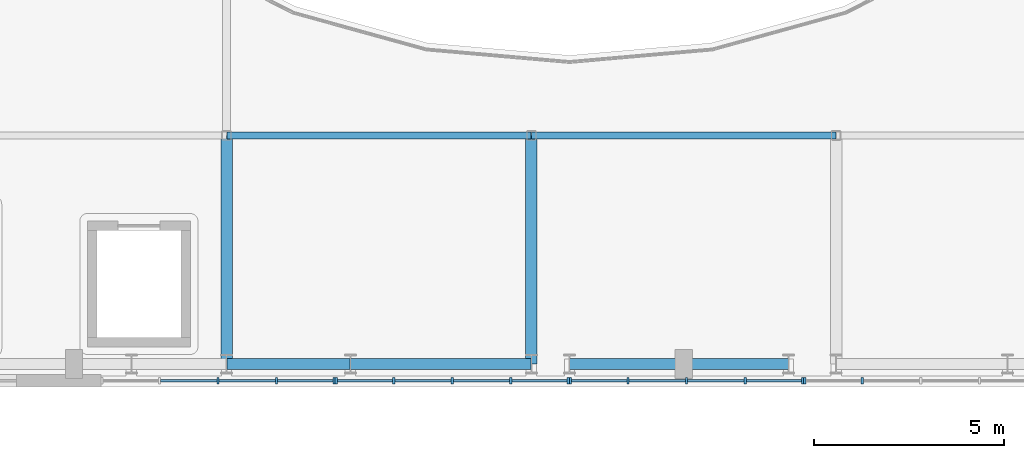
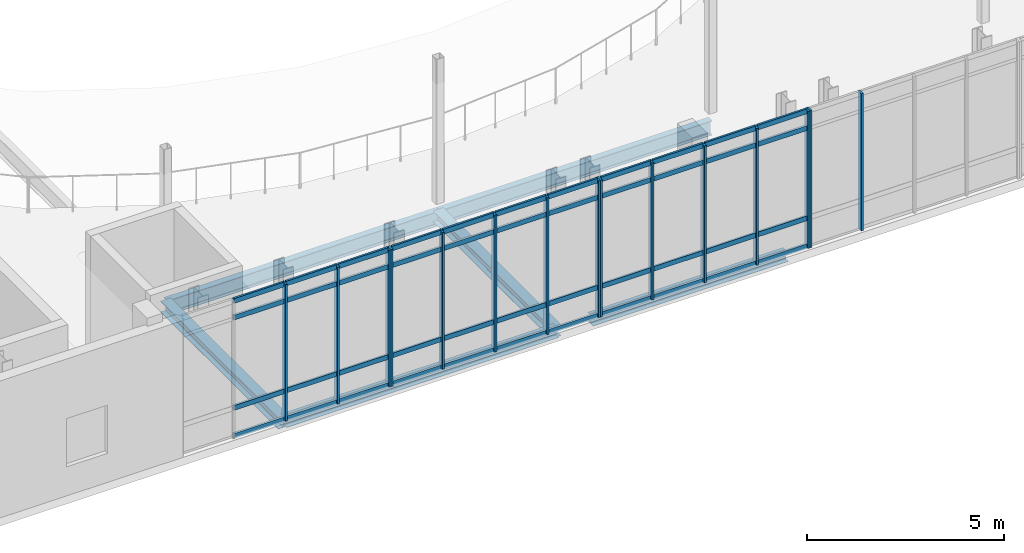
# One storey, part 27 of 100: 59 members, 7 beams, 4 elements without a shape of their own.
"""IFC4 building model written with IfcOpenShell, lengths in metres."""

from ifc_helpers import new_model, si_unit, direction, frame, origin, origin_2d, place, context, subcontext, project, spatial, rectangle, i_section, extrude, material, material_profile, profile_set, type_object, element, aggregate, save


model = new_model("IFC4")

# Units and contexts
model_context = context("Model", 3, precision=1e-05, world=origin(), true_north=direction((0.0, 1.0)))
body_context = subcontext(model_context, "Body", "Model", "MODEL_VIEW")
ifc_project = project(units=[si_unit("LENGTHUNIT", "METRE"), si_unit("AREAUNIT", "SQUARE_METRE"), si_unit("VOLUMEUNIT", "CUBIC_METRE"), si_unit("PLANEANGLEUNIT", "RADIAN"), si_unit("MASSUNIT", "GRAM", prefix="KILO")], contexts=[model_context])

# Site, building, storey
site_placement = place(None, origin())
site = spatial("IfcSite", under=ifc_project, at=site_placement, CompositionType="ELEMENT")
building_placement = place(site_placement, origin())
building = spatial("IfcBuilding", under=site, at=building_placement, Name="Cymarion Research Institute", CompositionType="ELEMENT")
storey_placement = place(building_placement, frame((0.0, 0.0, 9.300048828125)))
storey = spatial("IfcBuildingStorey", under=building, at=storey_placement, Name="L02", CompositionType="ELEMENT", Elevation=9.300048828125)

# Curtain wall, members
ifc_material_1 = material(Name="Anodised aluminium unitised curtain wall with Low-E glazing", Category="aluminium")
curtain_wall_type = type_object("IfcCurtainWallType", Name="UNITISED CURTAIN WALL CW07 6150X4250", PredefinedType="NOTDEFINED", material=ifc_material_1)
curtain_wall_1_placement = place(storey_placement, origin())
curtain_wall_1 = element("IfcCurtainWall", 1, at=curtain_wall_1_placement, inside=storey, type_object=curtain_wall_type, Name="L02 V2 unitised curtain wall CW07 #72", PredefinedType="NOTDEFINED")
ifc_material_2 = material(Name="Anodised aluminium framing", Category="aluminium")
ifc_material_profile_1 = material_profile(ifc_material_2, rectangle(XDim=0.06005859375, YDim=0.179931640625, at=origin_2d()), Name="ALU MULLION 60x180")
ifc_profile_set_1 = profile_set([ifc_material_profile_1], Name="Anodised aluminium framing")
member_type_1 = type_object("IfcMemberType", Name="CURTAIN WALL MULLION ML01 60X180", PredefinedType="MULLION", material=ifc_profile_set_1)
member_1_placement = place(storey_placement, frame((70.375732421875, 5.06005859375, 0.0), z_axis=(0.0, 0.0, 1.0), x_axis=(1.0, 0.0, 0.0)))
member_1 = element("IfcMember", 2, at=member_1_placement, type_object=member_type_1, Name="CW07 mullion 3", PredefinedType="MULLION", context=body_context, shape_type="SweptSolid", body=[
    extrude(rectangle(XDim=0.06005859375, YDim=0.179931640625, at=origin_2d()), origin(), (0.0, 0.0, 1.0), 4.25),
])
member_2_placement = place(storey_placement, frame((71.9130859375, 5.06005859375, 0.0), z_axis=(0.0, 0.0, 1.0), x_axis=(1.0, 0.0, 0.0)))
member_2 = element("IfcMember", 3, at=member_2_placement, type_object=member_type_1, Name="CW07 mullion 4", PredefinedType="MULLION", context=body_context, shape_type="SweptSolid", body=[
    extrude(rectangle(XDim=0.06005859375, YDim=0.179931640625, at=origin_2d()), origin(), (0.0, 0.0, 1.0), 4.25),
])
member_3_placement = place(storey_placement, frame((73.42041015625, 5.06005859375, 0.0), z_axis=(0.0, 0.0, 1.0), x_axis=(1.0, 0.0, 0.0)))
member_3 = element("IfcMember", 4, at=member_3_placement, type_object=member_type_1, Name="CW07 mullion 5", PredefinedType="MULLION", context=body_context, shape_type="SweptSolid", body=[
    extrude(rectangle(XDim=0.06005859375, YDim=0.179931640625, at=origin_2d()), origin(), (0.0, 0.0, 1.0), 4.25),
])

curtain_wall_2_placement = place(storey_placement, origin())
curtain_wall_2 = element("IfcCurtainWall", 5, at=curtain_wall_2_placement, inside=storey, type_object=curtain_wall_type, Name="L02 V2 unitised curtain wall CW07 #73", PredefinedType="NOTDEFINED")
member_4_placement = place(storey_placement, frame((73.48046875, 5.06005859375, 0.0), z_axis=(0.0, 0.0, 1.0), x_axis=(1.0, 0.0, 0.0)))
member_4 = element("IfcMember", 6, at=member_4_placement, type_object=member_type_1, Name="CW07 mullion 1", PredefinedType="MULLION", context=body_context, shape_type="SweptSolid", body=[
    extrude(rectangle(XDim=0.06005859375, YDim=0.179931640625, at=origin_2d()), origin(), (0.0, 0.0, 1.0), 4.25),
])
member_5_placement = place(storey_placement, frame((74.98779296875, 5.06005859375, 0.0), z_axis=(0.0, 0.0, 1.0), x_axis=(1.0, 0.0, 0.0)))
member_5 = element("IfcMember", 7, at=member_5_placement, type_object=member_type_1, Name="CW07 mullion 2", PredefinedType="MULLION", context=body_context, shape_type="SweptSolid", body=[
    extrude(rectangle(XDim=0.06005859375, YDim=0.179931640625, at=origin_2d()), origin(), (0.0, 0.0, 1.0), 4.25),
])
member_6_placement = place(storey_placement, frame((76.525146484375, 5.06005859375, 0.0), z_axis=(0.0, 0.0, 1.0), x_axis=(1.0, 0.0, 0.0)))
member_6 = element("IfcMember", 8, at=member_6_placement, type_object=member_type_1, Name="CW07 mullion 3", PredefinedType="MULLION", context=body_context, shape_type="SweptSolid", body=[
    extrude(rectangle(XDim=0.06005859375, YDim=0.179931640625, at=origin_2d()), origin(), (0.0, 0.0, 1.0), 4.25),
])
member_7_placement = place(storey_placement, frame((78.062744140625, 5.06005859375, 0.0), z_axis=(0.0, 0.0, 1.0), x_axis=(1.0, 0.0, 0.0)))
member_7 = element("IfcMember", 9, at=member_7_placement, type_object=member_type_1, Name="CW07 mullion 4", PredefinedType="MULLION", context=body_context, shape_type="SweptSolid", body=[
    extrude(rectangle(XDim=0.06005859375, YDim=0.179931640625, at=origin_2d()), origin(), (0.0, 0.0, 1.0), 4.25),
])
member_8_placement = place(storey_placement, frame((79.570068359375, 5.06005859375, 0.0), z_axis=(0.0, 0.0, 1.0), x_axis=(1.0, 0.0, 0.0)))
member_8 = element("IfcMember", 10, at=member_8_placement, type_object=member_type_1, Name="CW07 mullion 5", PredefinedType="MULLION", context=body_context, shape_type="SweptSolid", body=[
    extrude(rectangle(XDim=0.06005859375, YDim=0.179931640625, at=origin_2d()), origin(), (0.0, 0.0, 1.0), 4.25),
])

curtain_wall_3_placement = place(storey_placement, origin())
curtain_wall_3 = element("IfcCurtainWall", 11, at=curtain_wall_3_placement, inside=storey, type_object=curtain_wall_type, Name="L02 V2 unitised curtain wall CW07 #74", PredefinedType="NOTDEFINED")
member_9_placement = place(storey_placement, frame((79.6298828125, 5.06005859375, 0.0), z_axis=(0.0, 0.0, 1.0), x_axis=(1.0, 0.0, 0.0)))
member_9 = element("IfcMember", 12, at=member_9_placement, type_object=member_type_1, Name="CW07 mullion 1", PredefinedType="MULLION", context=body_context, shape_type="SweptSolid", body=[
    extrude(rectangle(XDim=0.06005859375, YDim=0.179931640625, at=origin_2d()), origin(), (0.0, 0.0, 1.0), 4.25),
])
member_10_placement = place(storey_placement, frame((81.137451171875, 5.06005859375, 0.0), z_axis=(0.0, 0.0, 1.0), x_axis=(1.0, 0.0, 0.0)))
member_10 = element("IfcMember", 13, at=member_10_placement, type_object=member_type_1, Name="CW07 mullion 2", PredefinedType="MULLION", context=body_context, shape_type="SweptSolid", body=[
    extrude(rectangle(XDim=0.06005859375, YDim=0.179931640625, at=origin_2d()), origin(), (0.0, 0.0, 1.0), 4.25),
])
member_11_placement = place(storey_placement, frame((82.6748046875, 5.06005859375, 0.0), z_axis=(0.0, 0.0, 1.0), x_axis=(1.0, 0.0, 0.0)))
member_11 = element("IfcMember", 14, at=member_11_placement, type_object=member_type_1, Name="CW07 mullion 3", PredefinedType="MULLION", context=body_context, shape_type="SweptSolid", body=[
    extrude(rectangle(XDim=0.06005859375, YDim=0.179931640625, at=origin_2d()), origin(), (0.0, 0.0, 1.0), 4.25),
])
member_12_placement = place(storey_placement, frame((84.212158203125, 5.06005859375, 0.0), z_axis=(0.0, 0.0, 1.0), x_axis=(1.0, 0.0, 0.0)))
member_12 = element("IfcMember", 15, at=member_12_placement, type_object=member_type_1, Name="CW07 mullion 4", PredefinedType="MULLION", context=body_context, shape_type="SweptSolid", body=[
    extrude(rectangle(XDim=0.06005859375, YDim=0.179931640625, at=origin_2d()), origin(), (0.0, 0.0, 1.0), 4.25),
])
member_13_placement = place(storey_placement, frame((85.719482421875, 5.06005859375, 0.0), z_axis=(0.0, 0.0, 1.0), x_axis=(1.0, 0.0, 0.0)))
member_13 = element("IfcMember", 16, at=member_13_placement, type_object=member_type_1, Name="CW07 mullion 5", PredefinedType="MULLION", context=body_context, shape_type="SweptSolid", body=[
    extrude(rectangle(XDim=0.06005859375, YDim=0.179931640625, at=origin_2d()), origin(), (0.0, 0.0, 1.0), 4.25),
])

curtain_wall_4_placement = place(storey_placement, origin())
curtain_wall_4 = element("IfcCurtainWall", 17, at=curtain_wall_4_placement, inside=storey, type_object=curtain_wall_type, Name="L02 V2 unitised curtain wall CW07 #75", PredefinedType="NOTDEFINED")
member_14_placement = place(storey_placement, frame((85.779541015625, 5.06005859375, 0.0), z_axis=(0.0, 0.0, 1.0), x_axis=(1.0, 0.0, 0.0)))
member_14 = element("IfcMember", 18, at=member_14_placement, type_object=member_type_1, Name="CW07 mullion 1", PredefinedType="MULLION", context=body_context, shape_type="SweptSolid", body=[
    extrude(rectangle(XDim=0.06005859375, YDim=0.179931640625, at=origin_2d()), origin(), (0.0, 0.0, 1.0), 4.25),
])
member_15_placement = place(storey_placement, frame((87.286865234375, 5.06005859375, 0.0), z_axis=(0.0, 0.0, 1.0), x_axis=(1.0, 0.0, 0.0)))
member_15 = element("IfcMember", 19, at=member_15_placement, type_object=member_type_1, Name="CW07 mullion 2", PredefinedType="MULLION", context=body_context, shape_type="SweptSolid", body=[
    extrude(rectangle(XDim=0.06005859375, YDim=0.179931640625, at=origin_2d()), origin(), (0.0, 0.0, 1.0), 4.25),
])
aggregate(curtain_wall_4, [member_14, member_15])

# Member
ifc_material_profile_2 = material_profile(ifc_material_2, rectangle(XDim=0.06005859375, YDim=0.14990234375, at=origin_2d()), Name="ALU TRANSOM 60x150")
ifc_profile_set_2 = profile_set([ifc_material_profile_2], Name="Anodised aluminium framing")
member_type_2 = type_object("IfcMemberType", Name="CURTAIN WALL TRANSOM TR01 60X150", PredefinedType="USERDEFINED", material=ifc_profile_set_2)
member_16_placement = place(storey_placement, frame((68.868408203125, 5.06005859375, 0.030029296875), z_axis=(1.0, 0.0, 0.0), x_axis=(0.0, 1.0, 0.0)))
member_16 = element("IfcMember", 20, at=member_16_placement, type_object=member_type_2, Name="CW07 transom 2.1", ObjectType="TRANSOM", PredefinedType="USERDEFINED", context=body_context, shape_type="SweptSolid", body=[
    extrude(rectangle(XDim=0.06005859375, YDim=0.14990234375, at=origin_2d()), origin(), (0.0, 0.0, 1.0), 1.477294921875),
])

member_17_placement = place(storey_placement, frame((68.868408203125, 5.06005859375, 0.89990234375), z_axis=(1.0, 0.0, 0.0), x_axis=(0.0, 1.0, 0.0)))
member_17 = element("IfcMember", 21, at=member_17_placement, type_object=member_type_2, Name="CW07 transom 2.2", ObjectType="TRANSOM", PredefinedType="USERDEFINED", context=body_context, shape_type="SweptSolid", body=[
    extrude(rectangle(XDim=0.06005859375, YDim=0.14990234375, at=origin_2d()), origin(), (0.0, 0.0, 1.0), 1.477294921875),
])

member_18_placement = place(storey_placement, frame((68.868408203125, 5.06005859375, 3.699951171875), z_axis=(1.0, 0.0, 0.0), x_axis=(0.0, 1.0, 0.0)))
member_18 = element("IfcMember", 22, at=member_18_placement, type_object=member_type_2, Name="CW07 transom 2.3", ObjectType="TRANSOM", PredefinedType="USERDEFINED", context=body_context, shape_type="SweptSolid", body=[
    extrude(rectangle(XDim=0.06005859375, YDim=0.14990234375, at=origin_2d()), origin(), (0.0, 0.0, 1.0), 1.477294921875),
])

member_19_placement = place(storey_placement, frame((68.868408203125, 5.06005859375, 4.219970703125), z_axis=(1.0, 0.0, 0.0), x_axis=(0.0, 1.0, 0.0)))
member_19 = element("IfcMember", 23, at=member_19_placement, type_object=member_type_2, Name="CW07 transom 2.4", ObjectType="TRANSOM", PredefinedType="USERDEFINED", context=body_context, shape_type="SweptSolid", body=[
    extrude(rectangle(XDim=0.06005859375, YDim=0.14990234375, at=origin_2d()), origin(), (0.0, 0.0, 1.0), 1.477294921875),
])

member_20_placement = place(storey_placement, frame((70.40576171875, 5.06005859375, 0.030029296875), z_axis=(1.0, 0.0, 0.0), x_axis=(0.0, 1.0, 0.0)))
member_20 = element("IfcMember", 24, at=member_20_placement, type_object=member_type_2, Name="CW07 transom 3.1", ObjectType="TRANSOM", PredefinedType="USERDEFINED", context=body_context, shape_type="SweptSolid", body=[
    extrude(rectangle(XDim=0.06005859375, YDim=0.14990234375, at=origin_2d()), origin(), (0.0, 0.0, 1.0), 1.477294921875),
])

member_21_placement = place(storey_placement, frame((70.40576171875, 5.06005859375, 0.89990234375), z_axis=(1.0, 0.0, 0.0), x_axis=(0.0, 1.0, 0.0)))
member_21 = element("IfcMember", 25, at=member_21_placement, type_object=member_type_2, Name="CW07 transom 3.2", ObjectType="TRANSOM", PredefinedType="USERDEFINED", context=body_context, shape_type="SweptSolid", body=[
    extrude(rectangle(XDim=0.06005859375, YDim=0.14990234375, at=origin_2d()), origin(), (0.0, 0.0, 1.0), 1.477294921875),
])

member_22_placement = place(storey_placement, frame((70.40576171875, 5.06005859375, 3.699951171875), z_axis=(1.0, 0.0, 0.0), x_axis=(0.0, 1.0, 0.0)))
member_22 = element("IfcMember", 26, at=member_22_placement, type_object=member_type_2, Name="CW07 transom 3.3", ObjectType="TRANSOM", PredefinedType="USERDEFINED", context=body_context, shape_type="SweptSolid", body=[
    extrude(rectangle(XDim=0.06005859375, YDim=0.14990234375, at=origin_2d()), origin(), (0.0, 0.0, 1.0), 1.477294921875),
])

member_23_placement = place(storey_placement, frame((70.40576171875, 5.06005859375, 4.219970703125), z_axis=(1.0, 0.0, 0.0), x_axis=(0.0, 1.0, 0.0)))
member_23 = element("IfcMember", 27, at=member_23_placement, type_object=member_type_2, Name="CW07 transom 3.4", ObjectType="TRANSOM", PredefinedType="USERDEFINED", context=body_context, shape_type="SweptSolid", body=[
    extrude(rectangle(XDim=0.06005859375, YDim=0.14990234375, at=origin_2d()), origin(), (0.0, 0.0, 1.0), 1.477294921875),
])

member_24_placement = place(storey_placement, frame((71.943115234375, 5.06005859375, 0.030029296875), z_axis=(1.0, 0.0, 0.0), x_axis=(0.0, 1.0, 0.0)))
member_24 = element("IfcMember", 28, at=member_24_placement, type_object=member_type_2, Name="CW07 transom 4.1", ObjectType="TRANSOM", PredefinedType="USERDEFINED", context=body_context, shape_type="SweptSolid", body=[
    extrude(rectangle(XDim=0.06005859375, YDim=0.14990234375, at=origin_2d()), origin(), (0.0, 0.0, 1.0), 1.447265625),
])

member_25_placement = place(storey_placement, frame((71.943115234375, 5.06005859375, 0.89990234375), z_axis=(1.0, 0.0, 0.0), x_axis=(0.0, 1.0, 0.0)))
member_25 = element("IfcMember", 29, at=member_25_placement, type_object=member_type_2, Name="CW07 transom 4.2", ObjectType="TRANSOM", PredefinedType="USERDEFINED", context=body_context, shape_type="SweptSolid", body=[
    extrude(rectangle(XDim=0.06005859375, YDim=0.14990234375, at=origin_2d()), origin(), (0.0, 0.0, 1.0), 1.447265625),
])

member_26_placement = place(storey_placement, frame((71.943115234375, 5.06005859375, 3.699951171875), z_axis=(1.0, 0.0, 0.0), x_axis=(0.0, 1.0, 0.0)))
member_26 = element("IfcMember", 30, at=member_26_placement, type_object=member_type_2, Name="CW07 transom 4.3", ObjectType="TRANSOM", PredefinedType="USERDEFINED", context=body_context, shape_type="SweptSolid", body=[
    extrude(rectangle(XDim=0.06005859375, YDim=0.14990234375, at=origin_2d()), origin(), (0.0, 0.0, 1.0), 1.447265625),
])

member_27_placement = place(storey_placement, frame((71.943115234375, 5.06005859375, 4.219970703125), z_axis=(1.0, 0.0, 0.0), x_axis=(0.0, 1.0, 0.0)))
member_27 = element("IfcMember", 31, at=member_27_placement, type_object=member_type_2, Name="CW07 transom 4.4", ObjectType="TRANSOM", PredefinedType="USERDEFINED", context=body_context, shape_type="SweptSolid", body=[
    extrude(rectangle(XDim=0.06005859375, YDim=0.14990234375, at=origin_2d()), origin(), (0.0, 0.0, 1.0), 1.447265625),
])

aggregate(curtain_wall_1, [member_1, member_2, member_3, member_16, member_17, member_18, member_19, member_20, member_21, member_22, member_23, member_24, member_25, member_26, member_27])

member_28_placement = place(storey_placement, frame((73.510498046875, 5.06005859375, 0.030029296875), z_axis=(1.0, 0.0, 0.0), x_axis=(0.0, 1.0, 0.0)))
member_28 = element("IfcMember", 32, at=member_28_placement, type_object=member_type_2, Name="CW07 transom 1.1", ObjectType="TRANSOM", PredefinedType="USERDEFINED", context=body_context, shape_type="SweptSolid", body=[
    extrude(rectangle(XDim=0.06005859375, YDim=0.14990234375, at=origin_2d()), origin(), (0.0, 0.0, 1.0), 1.447265625),
])

member_29_placement = place(storey_placement, frame((73.510498046875, 5.06005859375, 0.89990234375), z_axis=(1.0, 0.0, 0.0), x_axis=(0.0, 1.0, 0.0)))
member_29 = element("IfcMember", 33, at=member_29_placement, type_object=member_type_2, Name="CW07 transom 1.2", ObjectType="TRANSOM", PredefinedType="USERDEFINED", context=body_context, shape_type="SweptSolid", body=[
    extrude(rectangle(XDim=0.06005859375, YDim=0.14990234375, at=origin_2d()), origin(), (0.0, 0.0, 1.0), 1.447265625),
])

member_30_placement = place(storey_placement, frame((73.510498046875, 5.06005859375, 3.699951171875), z_axis=(1.0, 0.0, 0.0), x_axis=(0.0, 1.0, 0.0)))
member_30 = element("IfcMember", 34, at=member_30_placement, type_object=member_type_2, Name="CW07 transom 1.3", ObjectType="TRANSOM", PredefinedType="USERDEFINED", context=body_context, shape_type="SweptSolid", body=[
    extrude(rectangle(XDim=0.06005859375, YDim=0.14990234375, at=origin_2d()), origin(), (0.0, 0.0, 1.0), 1.447265625),
])

member_31_placement = place(storey_placement, frame((73.510498046875, 5.06005859375, 4.219970703125), z_axis=(1.0, 0.0, 0.0), x_axis=(0.0, 1.0, 0.0)))
member_31 = element("IfcMember", 35, at=member_31_placement, type_object=member_type_2, Name="CW07 transom 1.4", ObjectType="TRANSOM", PredefinedType="USERDEFINED", context=body_context, shape_type="SweptSolid", body=[
    extrude(rectangle(XDim=0.06005859375, YDim=0.14990234375, at=origin_2d()), origin(), (0.0, 0.0, 1.0), 1.447265625),
])

member_32_placement = place(storey_placement, frame((75.017822265625, 5.06005859375, 0.030029296875), z_axis=(1.0, 0.0, 0.0), x_axis=(0.0, 1.0, 0.0)))
member_32 = element("IfcMember", 36, at=member_32_placement, type_object=member_type_2, Name="CW07 transom 2.1", ObjectType="TRANSOM", PredefinedType="USERDEFINED", context=body_context, shape_type="SweptSolid", body=[
    extrude(rectangle(XDim=0.06005859375, YDim=0.14990234375, at=origin_2d()), origin(), (0.0, 0.0, 1.0), 1.4775390625),
])

member_33_placement = place(storey_placement, frame((75.017822265625, 5.06005859375, 0.89990234375), z_axis=(1.0, 0.0, 0.0), x_axis=(0.0, 1.0, 0.0)))
member_33 = element("IfcMember", 37, at=member_33_placement, type_object=member_type_2, Name="CW07 transom 2.2", ObjectType="TRANSOM", PredefinedType="USERDEFINED", context=body_context, shape_type="SweptSolid", body=[
    extrude(rectangle(XDim=0.06005859375, YDim=0.14990234375, at=origin_2d()), origin(), (0.0, 0.0, 1.0), 1.4775390625),
])

member_34_placement = place(storey_placement, frame((75.017822265625, 5.06005859375, 3.699951171875), z_axis=(1.0, 0.0, 0.0), x_axis=(0.0, 1.0, 0.0)))
member_34 = element("IfcMember", 38, at=member_34_placement, type_object=member_type_2, Name="CW07 transom 2.3", ObjectType="TRANSOM", PredefinedType="USERDEFINED", context=body_context, shape_type="SweptSolid", body=[
    extrude(rectangle(XDim=0.06005859375, YDim=0.14990234375, at=origin_2d()), origin(), (0.0, 0.0, 1.0), 1.4775390625),
])

member_35_placement = place(storey_placement, frame((75.017822265625, 5.06005859375, 4.219970703125), z_axis=(1.0, 0.0, 0.0), x_axis=(0.0, 1.0, 0.0)))
member_35 = element("IfcMember", 39, at=member_35_placement, type_object=member_type_2, Name="CW07 transom 2.4", ObjectType="TRANSOM", PredefinedType="USERDEFINED", context=body_context, shape_type="SweptSolid", body=[
    extrude(rectangle(XDim=0.06005859375, YDim=0.14990234375, at=origin_2d()), origin(), (0.0, 0.0, 1.0), 1.4775390625),
])

member_36_placement = place(storey_placement, frame((76.55517578125, 5.06005859375, 0.030029296875), z_axis=(1.0, 0.0, 0.0), x_axis=(0.0, 1.0, 0.0)))
member_36 = element("IfcMember", 40, at=member_36_placement, type_object=member_type_2, Name="CW07 transom 3.1", ObjectType="TRANSOM", PredefinedType="USERDEFINED", context=body_context, shape_type="SweptSolid", body=[
    extrude(rectangle(XDim=0.06005859375, YDim=0.14990234375, at=origin_2d()), origin(), (0.0, 0.0, 1.0), 1.4775390625),
])

member_37_placement = place(storey_placement, frame((76.55517578125, 5.06005859375, 0.89990234375), z_axis=(1.0, 0.0, 0.0), x_axis=(0.0, 1.0, 0.0)))
member_37 = element("IfcMember", 41, at=member_37_placement, type_object=member_type_2, Name="CW07 transom 3.2", ObjectType="TRANSOM", PredefinedType="USERDEFINED", context=body_context, shape_type="SweptSolid", body=[
    extrude(rectangle(XDim=0.06005859375, YDim=0.14990234375, at=origin_2d()), origin(), (0.0, 0.0, 1.0), 1.4775390625),
])

member_38_placement = place(storey_placement, frame((76.55517578125, 5.06005859375, 3.699951171875), z_axis=(1.0, 0.0, 0.0), x_axis=(0.0, 1.0, 0.0)))
member_38 = element("IfcMember", 42, at=member_38_placement, type_object=member_type_2, Name="CW07 transom 3.3", ObjectType="TRANSOM", PredefinedType="USERDEFINED", context=body_context, shape_type="SweptSolid", body=[
    extrude(rectangle(XDim=0.06005859375, YDim=0.14990234375, at=origin_2d()), origin(), (0.0, 0.0, 1.0), 1.4775390625),
])

member_39_placement = place(storey_placement, frame((76.55517578125, 5.06005859375, 4.219970703125), z_axis=(1.0, 0.0, 0.0), x_axis=(0.0, 1.0, 0.0)))
member_39 = element("IfcMember", 43, at=member_39_placement, type_object=member_type_2, Name="CW07 transom 3.4", ObjectType="TRANSOM", PredefinedType="USERDEFINED", context=body_context, shape_type="SweptSolid", body=[
    extrude(rectangle(XDim=0.06005859375, YDim=0.14990234375, at=origin_2d()), origin(), (0.0, 0.0, 1.0), 1.4775390625),
])

member_40_placement = place(storey_placement, frame((78.092529296875, 5.06005859375, 0.030029296875), z_axis=(1.0, 0.0, 0.0), x_axis=(0.0, 1.0, 0.0)))
member_40 = element("IfcMember", 44, at=member_40_placement, type_object=member_type_2, Name="CW07 transom 4.1", ObjectType="TRANSOM", PredefinedType="USERDEFINED", context=body_context, shape_type="SweptSolid", body=[
    extrude(rectangle(XDim=0.06005859375, YDim=0.14990234375, at=origin_2d()), origin(), (0.0, 0.0, 1.0), 1.447509765625),
])

member_41_placement = place(storey_placement, frame((78.092529296875, 5.06005859375, 0.89990234375), z_axis=(1.0, 0.0, 0.0), x_axis=(0.0, 1.0, 0.0)))
member_41 = element("IfcMember", 45, at=member_41_placement, type_object=member_type_2, Name="CW07 transom 4.2", ObjectType="TRANSOM", PredefinedType="USERDEFINED", context=body_context, shape_type="SweptSolid", body=[
    extrude(rectangle(XDim=0.06005859375, YDim=0.14990234375, at=origin_2d()), origin(), (0.0, 0.0, 1.0), 1.447509765625),
])

member_42_placement = place(storey_placement, frame((78.092529296875, 5.06005859375, 3.699951171875), z_axis=(1.0, 0.0, 0.0), x_axis=(0.0, 1.0, 0.0)))
member_42 = element("IfcMember", 46, at=member_42_placement, type_object=member_type_2, Name="CW07 transom 4.3", ObjectType="TRANSOM", PredefinedType="USERDEFINED", context=body_context, shape_type="SweptSolid", body=[
    extrude(rectangle(XDim=0.06005859375, YDim=0.14990234375, at=origin_2d()), origin(), (0.0, 0.0, 1.0), 1.447509765625),
])

member_43_placement = place(storey_placement, frame((78.092529296875, 5.06005859375, 4.219970703125), z_axis=(1.0, 0.0, 0.0), x_axis=(0.0, 1.0, 0.0)))
member_43 = element("IfcMember", 47, at=member_43_placement, type_object=member_type_2, Name="CW07 transom 4.4", ObjectType="TRANSOM", PredefinedType="USERDEFINED", context=body_context, shape_type="SweptSolid", body=[
    extrude(rectangle(XDim=0.06005859375, YDim=0.14990234375, at=origin_2d()), origin(), (0.0, 0.0, 1.0), 1.447509765625),
])

aggregate(curtain_wall_2, [member_4, member_5, member_6, member_7, member_8, member_28, member_29, member_30, member_31, member_32, member_33, member_34, member_35, member_36, member_37, member_38, member_39, member_40, member_41, member_42, member_43])

member_44_placement = place(storey_placement, frame((79.659912109375, 5.06005859375, 0.030029296875), z_axis=(1.0, 0.0, 0.0), x_axis=(0.0, 1.0, 0.0)))
member_44 = element("IfcMember", 48, at=member_44_placement, type_object=member_type_2, Name="CW07 transom 1.1", ObjectType="TRANSOM", PredefinedType="USERDEFINED", context=body_context, shape_type="SweptSolid", body=[
    extrude(rectangle(XDim=0.06005859375, YDim=0.14990234375, at=origin_2d()), origin(), (0.0, 0.0, 1.0), 1.447509765625),
])

member_45_placement = place(storey_placement, frame((79.659912109375, 5.06005859375, 0.89990234375), z_axis=(1.0, 0.0, 0.0), x_axis=(0.0, 1.0, 0.0)))
member_45 = element("IfcMember", 49, at=member_45_placement, type_object=member_type_2, Name="CW07 transom 1.2", ObjectType="TRANSOM", PredefinedType="USERDEFINED", context=body_context, shape_type="SweptSolid", body=[
    extrude(rectangle(XDim=0.06005859375, YDim=0.14990234375, at=origin_2d()), origin(), (0.0, 0.0, 1.0), 1.447509765625),
])

member_46_placement = place(storey_placement, frame((79.659912109375, 5.06005859375, 3.699951171875), z_axis=(1.0, 0.0, 0.0), x_axis=(0.0, 1.0, 0.0)))
member_46 = element("IfcMember", 50, at=member_46_placement, type_object=member_type_2, Name="CW07 transom 1.3", ObjectType="TRANSOM", PredefinedType="USERDEFINED", context=body_context, shape_type="SweptSolid", body=[
    extrude(rectangle(XDim=0.06005859375, YDim=0.14990234375, at=origin_2d()), origin(), (0.0, 0.0, 1.0), 1.447509765625),
])

member_47_placement = place(storey_placement, frame((79.659912109375, 5.06005859375, 4.219970703125), z_axis=(1.0, 0.0, 0.0), x_axis=(0.0, 1.0, 0.0)))
member_47 = element("IfcMember", 51, at=member_47_placement, type_object=member_type_2, Name="CW07 transom 1.4", ObjectType="TRANSOM", PredefinedType="USERDEFINED", context=body_context, shape_type="SweptSolid", body=[
    extrude(rectangle(XDim=0.06005859375, YDim=0.14990234375, at=origin_2d()), origin(), (0.0, 0.0, 1.0), 1.447509765625),
])

member_48_placement = place(storey_placement, frame((81.16748046875, 5.06005859375, 0.030029296875), z_axis=(1.0, 0.0, 0.0), x_axis=(0.0, 1.0, 0.0)))
member_48 = element("IfcMember", 52, at=member_48_placement, type_object=member_type_2, Name="CW07 transom 2.1", ObjectType="TRANSOM", PredefinedType="USERDEFINED", context=body_context, shape_type="SweptSolid", body=[
    extrude(rectangle(XDim=0.06005859375, YDim=0.14990234375, at=origin_2d()), origin(), (0.0, 0.0, 1.0), 1.477294921875),
])

member_49_placement = place(storey_placement, frame((81.16748046875, 5.06005859375, 0.89990234375), z_axis=(1.0, 0.0, 0.0), x_axis=(0.0, 1.0, 0.0)))
member_49 = element("IfcMember", 53, at=member_49_placement, type_object=member_type_2, Name="CW07 transom 2.2", ObjectType="TRANSOM", PredefinedType="USERDEFINED", context=body_context, shape_type="SweptSolid", body=[
    extrude(rectangle(XDim=0.06005859375, YDim=0.14990234375, at=origin_2d()), origin(), (0.0, 0.0, 1.0), 1.477294921875),
])

member_50_placement = place(storey_placement, frame((81.16748046875, 5.06005859375, 3.699951171875), z_axis=(1.0, 0.0, 0.0), x_axis=(0.0, 1.0, 0.0)))
member_50 = element("IfcMember", 54, at=member_50_placement, type_object=member_type_2, Name="CW07 transom 2.3", ObjectType="TRANSOM", PredefinedType="USERDEFINED", context=body_context, shape_type="SweptSolid", body=[
    extrude(rectangle(XDim=0.06005859375, YDim=0.14990234375, at=origin_2d()), origin(), (0.0, 0.0, 1.0), 1.477294921875),
])

member_51_placement = place(storey_placement, frame((81.16748046875, 5.06005859375, 4.219970703125), z_axis=(1.0, 0.0, 0.0), x_axis=(0.0, 1.0, 0.0)))
member_51 = element("IfcMember", 55, at=member_51_placement, type_object=member_type_2, Name="CW07 transom 2.4", ObjectType="TRANSOM", PredefinedType="USERDEFINED", context=body_context, shape_type="SweptSolid", body=[
    extrude(rectangle(XDim=0.06005859375, YDim=0.14990234375, at=origin_2d()), origin(), (0.0, 0.0, 1.0), 1.477294921875),
])

member_52_placement = place(storey_placement, frame((82.704833984375, 5.06005859375, 0.030029296875), z_axis=(1.0, 0.0, 0.0), x_axis=(0.0, 1.0, 0.0)))
member_52 = element("IfcMember", 56, at=member_52_placement, type_object=member_type_2, Name="CW07 transom 3.1", ObjectType="TRANSOM", PredefinedType="USERDEFINED", context=body_context, shape_type="SweptSolid", body=[
    extrude(rectangle(XDim=0.06005859375, YDim=0.14990234375, at=origin_2d()), origin(), (0.0, 0.0, 1.0), 1.477294921875),
])

member_53_placement = place(storey_placement, frame((82.704833984375, 5.06005859375, 0.89990234375), z_axis=(1.0, 0.0, 0.0), x_axis=(0.0, 1.0, 0.0)))
member_53 = element("IfcMember", 57, at=member_53_placement, type_object=member_type_2, Name="CW07 transom 3.2", ObjectType="TRANSOM", PredefinedType="USERDEFINED", context=body_context, shape_type="SweptSolid", body=[
    extrude(rectangle(XDim=0.06005859375, YDim=0.14990234375, at=origin_2d()), origin(), (0.0, 0.0, 1.0), 1.477294921875),
])

member_54_placement = place(storey_placement, frame((82.704833984375, 5.06005859375, 3.699951171875), z_axis=(1.0, 0.0, 0.0), x_axis=(0.0, 1.0, 0.0)))
member_54 = element("IfcMember", 58, at=member_54_placement, type_object=member_type_2, Name="CW07 transom 3.3", ObjectType="TRANSOM", PredefinedType="USERDEFINED", context=body_context, shape_type="SweptSolid", body=[
    extrude(rectangle(XDim=0.06005859375, YDim=0.14990234375, at=origin_2d()), origin(), (0.0, 0.0, 1.0), 1.477294921875),
])

member_55_placement = place(storey_placement, frame((82.704833984375, 5.06005859375, 4.219970703125), z_axis=(1.0, 0.0, 0.0), x_axis=(0.0, 1.0, 0.0)))
member_55 = element("IfcMember", 59, at=member_55_placement, type_object=member_type_2, Name="CW07 transom 3.4", ObjectType="TRANSOM", PredefinedType="USERDEFINED", context=body_context, shape_type="SweptSolid", body=[
    extrude(rectangle(XDim=0.06005859375, YDim=0.14990234375, at=origin_2d()), origin(), (0.0, 0.0, 1.0), 1.477294921875),
])

member_56_placement = place(storey_placement, frame((84.2421875, 5.06005859375, 0.030029296875), z_axis=(1.0, 0.0, 0.0), x_axis=(0.0, 1.0, 0.0)))
member_56 = element("IfcMember", 60, at=member_56_placement, type_object=member_type_2, Name="CW07 transom 4.1", ObjectType="TRANSOM", PredefinedType="USERDEFINED", context=body_context, shape_type="SweptSolid", body=[
    extrude(rectangle(XDim=0.06005859375, YDim=0.14990234375, at=origin_2d()), origin(), (0.0, 0.0, 1.0), 1.447265625),
])

member_57_placement = place(storey_placement, frame((84.2421875, 5.06005859375, 0.89990234375), z_axis=(1.0, 0.0, 0.0), x_axis=(0.0, 1.0, 0.0)))
member_57 = element("IfcMember", 61, at=member_57_placement, type_object=member_type_2, Name="CW07 transom 4.2", ObjectType="TRANSOM", PredefinedType="USERDEFINED", context=body_context, shape_type="SweptSolid", body=[
    extrude(rectangle(XDim=0.06005859375, YDim=0.14990234375, at=origin_2d()), origin(), (0.0, 0.0, 1.0), 1.447265625),
])

member_58_placement = place(storey_placement, frame((84.2421875, 5.06005859375, 3.699951171875), z_axis=(1.0, 0.0, 0.0), x_axis=(0.0, 1.0, 0.0)))
member_58 = element("IfcMember", 62, at=member_58_placement, type_object=member_type_2, Name="CW07 transom 4.3", ObjectType="TRANSOM", PredefinedType="USERDEFINED", context=body_context, shape_type="SweptSolid", body=[
    extrude(rectangle(XDim=0.06005859375, YDim=0.14990234375, at=origin_2d()), origin(), (0.0, 0.0, 1.0), 1.447265625),
])

member_59_placement = place(storey_placement, frame((84.2421875, 5.06005859375, 4.219970703125), z_axis=(1.0, 0.0, 0.0), x_axis=(0.0, 1.0, 0.0)))
member_59 = element("IfcMember", 63, at=member_59_placement, type_object=member_type_2, Name="CW07 transom 4.4", ObjectType="TRANSOM", PredefinedType="USERDEFINED", context=body_context, shape_type="SweptSolid", body=[
    extrude(rectangle(XDim=0.06005859375, YDim=0.14990234375, at=origin_2d()), origin(), (0.0, 0.0, 1.0), 1.447265625),
])

aggregate(curtain_wall_3, [member_9, member_10, member_11, member_12, member_13, member_44, member_45, member_46, member_47, member_48, member_49, member_50, member_51, member_52, member_53, member_54, member_55, member_56, member_57, member_58, member_59])

# Beams
ifc_material_3 = material(Name="Steel S355", Category="steel")
ifc_material_profile_3 = material_profile(ifc_material_3, i_section(OverallWidth=0.18994140625, OverallDepth=0.449951171875, WebThickness=0.009521484375, FlangeThickness=0.0146484375, FilletRadius=0.02099609375, at=origin_2d()), Name="IPE 450")
ifc_profile_set_3 = profile_set([ifc_material_profile_3], Name="Steel S355")
beam_type_1 = type_object("IfcBeamType", Name="PRIMARY GIRDER BM04 IPE 450", PredefinedType="BEAM", material=ifc_profile_set_3)
for number, where, z_axis, x_axis, name in (
    (64, (70.60595703125, 11.5, -0.47509765625), (1.0, 0.0, 0.0), (0.0, 1.0, 0.0), "L02 V2 girder BM04 #883"),
    (65, (78.60595703125, 11.5, -0.47509765625), (1.0, 0.0, 0.0), (0.0, 1.0, 0.0), "L02 V2 girder BM04 #884"),
):
    element("IfcBeam", number, at=place(storey_placement, frame(where, z_axis=z_axis, x_axis=x_axis)), inside=storey, type_object=beam_type_1, Name=name, PredefinedType="BEAM", context=body_context, shape_type="SweptSolid", body=[
        extrude(i_section(OverallWidth=0.18994140625, OverallDepth=0.449951171875, WebThickness=0.009521484375, FlangeThickness=0.0146484375, FilletRadius=0.02099609375, at=origin_2d()), origin(), (0.0, 0.0, 1.0), 7.988037109375),
    ])
ifc_material_profile_4 = material_profile(ifc_material_3, i_section(OverallWidth=0.300048828125, OverallDepth=0.35009765625, WebThickness=0.010009765625, FlangeThickness=0.017578125, FilletRadius=0.027099609375, at=origin_2d()), Name="HEA 360")
ifc_profile_set_4 = profile_set([ifc_material_profile_4], Name="Steel S355")
beam_type_2 = type_object("IfcBeamType", Name="PRIMARY GIRDER BM12 HEA 360", PredefinedType="BEAM", material=ifc_profile_set_4)
for number, where, z_axis, x_axis, name in (
    (66, (70.60009765625, 5.506103515625, -0.425048828125), (0.0, 1.0, 0.0), (-1.0, 0.0, 0.0), "L02 V2 girder BM12 #915"),
    (67, (78.60009765625, 5.506103515625, -0.425048828125), (0.0, 1.0, 0.0), (-1.0, 0.0, 0.0), "L02 V2 girder BM12 #918"),
):
    element("IfcBeam", number, at=place(storey_placement, frame(where, z_axis=z_axis, x_axis=x_axis)), inside=storey, type_object=beam_type_2, Name=name, PredefinedType="BEAM", context=body_context, shape_type="SweptSolid", body=[
        extrude(i_section(OverallWidth=0.300048828125, OverallDepth=0.35009765625, WebThickness=0.010009765625, FlangeThickness=0.017578125, FilletRadius=0.027099609375, at=origin_2d()), origin(), (0.0, 0.0, 1.0), 5.98779296875),
    ])
ifc_material_profile_5 = material_profile(ifc_material_3, i_section(OverallWidth=0.280029296875, OverallDepth=0.27001953125, WebThickness=0.008056640625, FlangeThickness=0.012939453125, FilletRadius=0.02392578125, at=origin_2d()), Name="HEA 280")
ifc_profile_set_5 = profile_set([ifc_material_profile_5], Name="Steel S355")
beam_type_3 = type_object("IfcBeamType", Name="SPANDREL BEAM SPB02 HEA 280", PredefinedType="SPANDREL", material=ifc_profile_set_5)
beam_1_placement = place(storey_placement, frame((70.60595703125, 5.5, -0.385009765625), z_axis=(1.0, 0.0, 0.0), x_axis=(0.0, 1.0, 0.0)))
element("IfcBeam", 68, at=beam_1_placement, inside=storey, type_object=beam_type_3, Name="L02 V2 girder SPB02 #874", PredefinedType="SPANDREL", context=body_context, shape_type="SweptSolid", body=[
    extrude(i_section(OverallWidth=0.280029296875, OverallDepth=0.27001953125, WebThickness=0.008056640625, FlangeThickness=0.012939453125, FilletRadius=0.02392578125, at=origin_2d()), origin(), (0.0, 0.0, 1.0), 3.238037109375),
])
beam_2_placement = place(storey_placement, frame((73.85595703125, 5.5, -0.385009765625), z_axis=(1.0, 0.0, 0.0), x_axis=(0.0, 1.0, 0.0)))
element("IfcBeam", 69, at=beam_2_placement, inside=storey, type_object=beam_type_3, Name="L02 V2 girder SPB02 #875", PredefinedType="SPANDREL", context=body_context, shape_type="SweptSolid", body=[
    extrude(i_section(OverallWidth=0.280029296875, OverallDepth=0.27001953125, WebThickness=0.008056640625, FlangeThickness=0.012939453125, FilletRadius=0.02392578125, at=origin_2d()), origin(), (0.0, 0.0, 1.0), 4.738037109375),
])
beam_3_placement = place(storey_placement, frame((79.60595703125, 5.5, -0.385009765625), z_axis=(1.0, 0.0, 0.0), x_axis=(0.0, 1.0, 0.0)))
element("IfcBeam", 70, at=beam_3_placement, inside=storey, type_object=beam_type_3, Name="L02 V2 girder SPB02 #876", PredefinedType="SPANDREL", context=body_context, shape_type="SweptSolid", body=[
    extrude(i_section(OverallWidth=0.280029296875, OverallDepth=0.27001953125, WebThickness=0.008056640625, FlangeThickness=0.012939453125, FilletRadius=0.02392578125, at=origin_2d()), origin(), (0.0, 0.0, 1.0), 5.738037109375),
])

save(model, "model.ifc")
